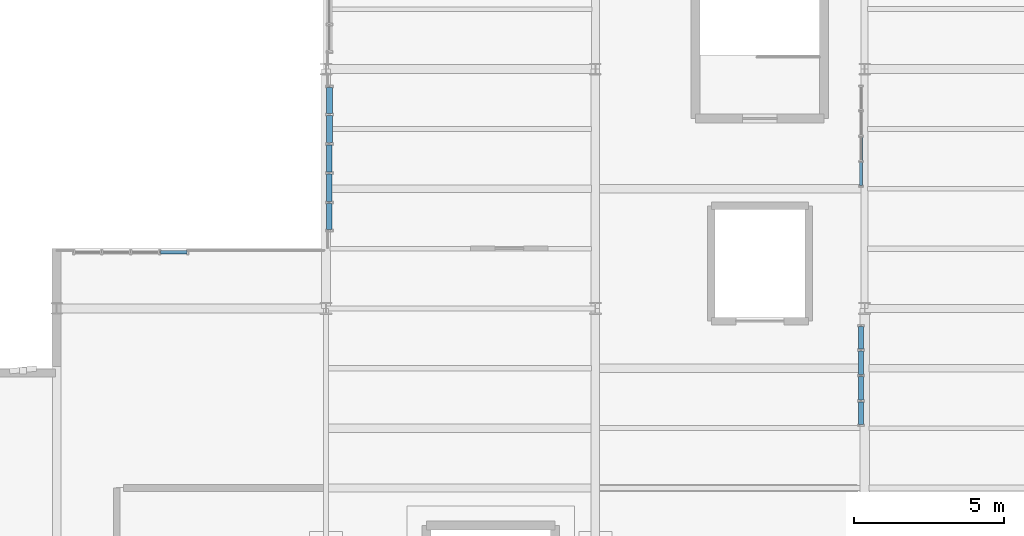
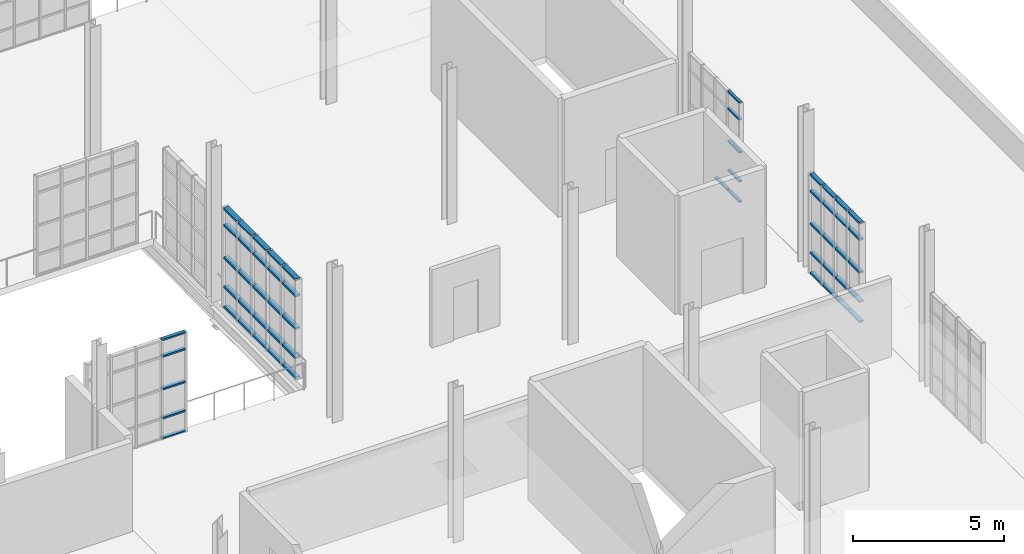
# One storey, part 78 of 118: 56 members, 4 elements without a shape of their own.
"""IFC4 building model written with IfcOpenShell, lengths in metres."""

from ifc_helpers import new_model, si_unit, direction, frame, origin, origin_2d, place, context, subcontext, project, spatial, hollow_rectangle, extrude, material, layer, layer_set, material_profile, profile_set, type_object, element, aggregate, save


model = new_model("IFC4")

# Units and contexts
model_context = context("Model", 3, precision=1e-05, world=origin(), true_north=direction((0.0, 1.0)))
body_context = subcontext(model_context, "Body", "Model", "MODEL_VIEW")
ifc_project = project(units=[si_unit("LENGTHUNIT", "METRE"), si_unit("AREAUNIT", "SQUARE_METRE"), si_unit("VOLUMEUNIT", "CUBIC_METRE"), si_unit("PLANEANGLEUNIT", "RADIAN"), si_unit("MASSUNIT", "GRAM", prefix="KILO"), si_unit("THERMODYNAMICTEMPERATUREUNIT", "KELVIN"), si_unit("POWERUNIT", "WATT")], contexts=[model_context])

# Site, building, storey
site_placement = place(None, origin())
site = spatial("IfcSite", under=ifc_project, at=site_placement, CompositionType="ELEMENT")
building_placement = place(site_placement, origin())
building = spatial("IfcBuilding", under=site, at=building_placement, Name="Zelmaris Science Centre", CompositionType="ELEMENT")
storey_placement = place(building_placement, frame((0.0, 0.0, 15.60009765625)))
storey = spatial("IfcBuildingStorey", under=building, at=storey_placement, Name="L03", CompositionType="ELEMENT", Elevation=15.60009765625)

# Curtain wall, members
ifc_material = material(Name="Anodised architectural aluminium 6063-T6", Category="aluminium")
ifc_layer_1 = layer(ifc_material, 0.219970703125, Name="Anodised architectural aluminium 6063-T6")
ifc_layer_set_1 = layer_set([ifc_layer_1], Name="Anodised architectural aluminium 6063-T6")
curtain_wall_type_1 = type_object("IfcCurtainWallType", Name="Curtain Wall CW-04", PredefinedType="USERDEFINED", material=ifc_layer_set_1)
curtain_wall_1_placement = place(storey_placement, origin())
curtain_wall_1 = element("IfcCurtainWall", 1, at=curtain_wall_1_placement, inside=storey, type_object=curtain_wall_type_1, Name="L03 Unitised curtain wall 300", ObjectType="GLAZED CURTAIN WALL", PredefinedType="USERDEFINED")
ifc_material_profile_1 = material_profile(ifc_material, hollow_rectangle(XDim=0.06005859375, YDim=0.110107421875, WallThickness=0.0029296875, at=origin_2d()), Name="ALU-TRN-60X110")
ifc_profile_set_1 = profile_set([ifc_material_profile_1], Name="Anodised architectural aluminium 6063-T6")
member_type_1 = type_object("IfcMemberType", Name="ALU-TRN-60X110", PredefinedType="USERDEFINED", material=ifc_profile_set_1)
member_1_placement = place(storey_placement, frame((134.8798828125, 37.73388671875, 0.010986328125), z_axis=(0.0, -1.0, 0.0), x_axis=(0.0, 0.0, 1.0)))
member_1 = element("IfcMember", 2, at=member_1_placement, type_object=member_type_1, Name="CW-04 transom 3.1", ObjectType="TRANSOM", PredefinedType="USERDEFINED", context=body_context, shape_type="SweptSolid", body=[
    extrude(hollow_rectangle(XDim=0.06005859375, YDim=0.110107421875, WallThickness=0.0029296875, at=origin_2d()), origin(), (0.0, 0.0, 1.0), 0.7978515625),
])
member_2_placement = place(storey_placement, frame((134.8798828125, 36.884033203125, 0.010986328125), z_axis=(0.0, -1.0, 0.0), x_axis=(0.0, 0.0, 1.0)))
member_2 = element("IfcMember", 3, at=member_2_placement, type_object=member_type_1, Name="CW-04 transom 4.1", ObjectType="TRANSOM", PredefinedType="USERDEFINED", context=body_context, shape_type="SweptSolid", body=[
    extrude(hollow_rectangle(XDim=0.06005859375, YDim=0.110107421875, WallThickness=0.0029296875, at=origin_2d()), origin(), (0.0, 0.0, 1.0), 0.77197265625),
])
member_3_placement = place(storey_placement, frame((134.8798828125, 36.884033203125, 0.8349609375), z_axis=(0.0, -1.0, 0.0), x_axis=(0.0, 0.0, 1.0)))
member_3 = element("IfcMember", 4, at=member_3_placement, type_object=member_type_1, Name="CW-04 transom 4.2", ObjectType="TRANSOM", PredefinedType="USERDEFINED", context=body_context, shape_type="SweptSolid", body=[
    extrude(hollow_rectangle(XDim=0.06005859375, YDim=0.110107421875, WallThickness=0.0029296875, at=origin_2d()), origin(), (0.0, 0.0, 1.0), 0.77197265625),
])
member_4_placement = place(storey_placement, frame((134.8798828125, 36.884033203125, 2.00732421875), z_axis=(0.0, -1.0, 0.0), x_axis=(0.0, 0.0, 1.0)))
member_4 = element("IfcMember", 5, at=member_4_placement, type_object=member_type_1, Name="CW-04 transom 4.3", ObjectType="TRANSOM", PredefinedType="USERDEFINED", context=body_context, shape_type="SweptSolid", body=[
    extrude(hollow_rectangle(XDim=0.06005859375, YDim=0.110107421875, WallThickness=0.0029296875, at=origin_2d()), origin(), (0.0, 0.0, 1.0), 0.77197265625),
])
member_5_placement = place(storey_placement, frame((134.8798828125, 36.884033203125, 3.329833984375), z_axis=(0.0, -1.0, 0.0), x_axis=(0.0, 0.0, 1.0)))
member_5 = element("IfcMember", 6, at=member_5_placement, type_object=member_type_1, Name="CW-04 transom 4.4", ObjectType="TRANSOM", PredefinedType="USERDEFINED", context=body_context, shape_type="SweptSolid", body=[
    extrude(hollow_rectangle(XDim=0.06005859375, YDim=0.110107421875, WallThickness=0.0029296875, at=origin_2d()), origin(), (0.0, 0.0, 1.0), 0.77197265625),
])
member_6_placement = place(storey_placement, frame((134.8798828125, 36.884033203125, 4.00390625), z_axis=(0.0, -1.0, 0.0), x_axis=(0.0, 0.0, 1.0)))
member_6 = element("IfcMember", 7, at=member_6_placement, type_object=member_type_1, Name="CW-04 transom 4.5", ObjectType="TRANSOM", PredefinedType="USERDEFINED", context=body_context, shape_type="SweptSolid", body=[
    extrude(hollow_rectangle(XDim=0.06005859375, YDim=0.110107421875, WallThickness=0.0029296875, at=origin_2d()), origin(), (0.0, 0.0, 1.0), 0.77197265625),
])
aggregate(curtain_wall_1, [member_1, member_2, member_3, member_4, member_5, member_6])

ifc_layer_2 = layer(ifc_material, 0.2099609375, Name="Anodised architectural aluminium 6063-T6")
ifc_layer_set_2 = layer_set([ifc_layer_2], Name="Anodised architectural aluminium 6063-T6")
curtain_wall_type_2 = type_object("IfcCurtainWallType", Name="Curtain Wall CW-03", PredefinedType="USERDEFINED", material=ifc_layer_set_2)
curtain_wall_2_placement = place(storey_placement, origin())
curtain_wall_2 = element("IfcCurtainWall", 8, at=curtain_wall_2_placement, inside=storey, type_object=curtain_wall_type_2, Name="L03 Unitised curtain wall 323", ObjectType="GLAZED CURTAIN WALL", PredefinedType="USERDEFINED")
ifc_material_profile_2 = material_profile(ifc_material, hollow_rectangle(XDim=0.06494140625, YDim=0.1298828125, WallThickness=0.00341796875, at=origin_2d()), Name="ALU-TRN-65X130")
ifc_profile_set_2 = profile_set([ifc_material_profile_2], Name="Anodised architectural aluminium 6063-T6")
member_type_2 = type_object("IfcMemberType", Name="ALU-TRN-65X130", PredefinedType="USERDEFINED", material=ifc_profile_set_2)
member_7_placement = place(storey_placement, frame((111.470947265625, 33.8798828125, 0.013427734375), z_axis=(1.0, 0.0, 0.0), x_axis=(0.0, 0.0, 1.0)))
member_7 = element("IfcMember", 9, at=member_7_placement, type_object=member_type_2, Name="CW-03 transom 4.1", ObjectType="TRANSOM", PredefinedType="USERDEFINED", context=body_context, shape_type="SweptSolid", body=[
    extrude(hollow_rectangle(XDim=0.06494140625, YDim=0.1298828125, WallThickness=0.00341796875, at=origin_2d()), origin(), (0.0, 0.0, 1.0), 0.882080078125),
])
member_8_placement = place(storey_placement, frame((111.470947265625, 33.8798828125, 0.8349609375), z_axis=(1.0, 0.0, 0.0), x_axis=(0.0, 0.0, 1.0)))
member_8 = element("IfcMember", 10, at=member_8_placement, type_object=member_type_2, Name="CW-03 transom 4.2", ObjectType="TRANSOM", PredefinedType="USERDEFINED", context=body_context, shape_type="SweptSolid", body=[
    extrude(hollow_rectangle(XDim=0.06494140625, YDim=0.1298828125, WallThickness=0.00341796875, at=origin_2d()), origin(), (0.0, 0.0, 1.0), 0.882080078125),
])
member_9_placement = place(storey_placement, frame((111.470947265625, 33.8798828125, 2.00732421875), z_axis=(1.0, 0.0, 0.0), x_axis=(0.0, 0.0, 1.0)))
member_9 = element("IfcMember", 11, at=member_9_placement, type_object=member_type_2, Name="CW-03 transom 4.3", ObjectType="TRANSOM", PredefinedType="USERDEFINED", context=body_context, shape_type="SweptSolid", body=[
    extrude(hollow_rectangle(XDim=0.06494140625, YDim=0.1298828125, WallThickness=0.00341796875, at=origin_2d()), origin(), (0.0, 0.0, 1.0), 0.882080078125),
])
member_10_placement = place(storey_placement, frame((111.470947265625, 33.8798828125, 3.329833984375), z_axis=(1.0, 0.0, 0.0), x_axis=(0.0, 0.0, 1.0)))
member_10 = element("IfcMember", 12, at=member_10_placement, type_object=member_type_2, Name="CW-03 transom 4.4", ObjectType="TRANSOM", PredefinedType="USERDEFINED", context=body_context, shape_type="SweptSolid", body=[
    extrude(hollow_rectangle(XDim=0.06494140625, YDim=0.1298828125, WallThickness=0.00341796875, at=origin_2d()), origin(), (0.0, 0.0, 1.0), 0.882080078125),
])
member_11_placement = place(storey_placement, frame((111.470947265625, 33.8798828125, 4.00146484375), z_axis=(1.0, 0.0, 0.0), x_axis=(0.0, 0.0, 1.0)))
member_11 = element("IfcMember", 13, at=member_11_placement, type_object=member_type_2, Name="CW-03 transom 4.5", ObjectType="TRANSOM", PredefinedType="USERDEFINED", context=body_context, shape_type="SweptSolid", body=[
    extrude(hollow_rectangle(XDim=0.06494140625, YDim=0.1298828125, WallThickness=0.00341796875, at=origin_2d()), origin(), (0.0, 0.0, 1.0), 0.882080078125),
])
aggregate(curtain_wall_2, [member_7, member_8, member_9, member_10, member_11])

ifc_layer_3 = layer(ifc_material, 0.199951171875, Name="Anodised architectural aluminium 6063-T6")
ifc_layer_set_3 = layer_set([ifc_layer_3], Name="Anodised architectural aluminium 6063-T6")
curtain_wall_type_3 = type_object("IfcCurtainWallType", Name="Curtain Wall CW-02", PredefinedType="USERDEFINED", material=ifc_layer_set_3)
curtain_wall_3_placement = place(storey_placement, origin())
curtain_wall_3 = element("IfcCurtainWall", 14, at=curtain_wall_3_placement, inside=storey, type_object=curtain_wall_type_3, Name="L03 Unitised curtain wall 302", ObjectType="GLAZED CURTAIN WALL", PredefinedType="USERDEFINED")
ifc_material_profile_3 = material_profile(ifc_material, hollow_rectangle(XDim=0.074951171875, YDim=0.159912109375, WallThickness=0.00390625, at=origin_2d()), Name="ALU-TRN-75X160")
ifc_profile_set_3 = profile_set([ifc_material_profile_3], Name="Anodised architectural aluminium 6063-T6")
member_type_3 = type_object("IfcMemberType", Name="ALU-TRN-75X160", PredefinedType="USERDEFINED", material=ifc_profile_set_3)
member_12_placement = place(storey_placement, frame((134.8798828125, 31.39306640625, 0.018310546875), z_axis=(0.0, -1.0, 0.0), x_axis=(0.0, 0.0, 1.0)))
member_12 = element("IfcMember", 15, at=member_12_placement, type_object=member_type_3, Name="CW-02 transom 1.1", ObjectType="TRANSOM", PredefinedType="USERDEFINED", context=body_context, shape_type="SweptSolid", body=[
    extrude(hollow_rectangle(XDim=0.074951171875, YDim=0.159912109375, WallThickness=0.00390625, at=origin_2d()), origin(), (0.0, 0.0, 1.0), 0.74951171875),
])
member_13_placement = place(storey_placement, frame((134.8798828125, 31.39306640625, 0.8349609375), z_axis=(0.0, -1.0, 0.0), x_axis=(0.0, 0.0, 1.0)))
member_13 = element("IfcMember", 16, at=member_13_placement, type_object=member_type_3, Name="CW-02 transom 1.2", ObjectType="TRANSOM", PredefinedType="USERDEFINED", context=body_context, shape_type="SweptSolid", body=[
    extrude(hollow_rectangle(XDim=0.074951171875, YDim=0.159912109375, WallThickness=0.00390625, at=origin_2d()), origin(), (0.0, 0.0, 1.0), 0.74951171875),
])
member_14_placement = place(storey_placement, frame((134.8798828125, 31.39306640625, 2.00732421875), z_axis=(0.0, -1.0, 0.0), x_axis=(0.0, 0.0, 1.0)))
member_14 = element("IfcMember", 17, at=member_14_placement, type_object=member_type_3, Name="CW-02 transom 1.3", ObjectType="TRANSOM", PredefinedType="USERDEFINED", context=body_context, shape_type="SweptSolid", body=[
    extrude(hollow_rectangle(XDim=0.074951171875, YDim=0.159912109375, WallThickness=0.00390625, at=origin_2d()), origin(), (0.0, 0.0, 1.0), 0.74951171875),
])
member_15_placement = place(storey_placement, frame((134.8798828125, 31.39306640625, 3.329833984375), z_axis=(0.0, -1.0, 0.0), x_axis=(0.0, 0.0, 1.0)))
member_15 = element("IfcMember", 18, at=member_15_placement, type_object=member_type_3, Name="CW-02 transom 1.4", ObjectType="TRANSOM", PredefinedType="USERDEFINED", context=body_context, shape_type="SweptSolid", body=[
    extrude(hollow_rectangle(XDim=0.074951171875, YDim=0.159912109375, WallThickness=0.00390625, at=origin_2d()), origin(), (0.0, 0.0, 1.0), 0.74951171875),
])
member_16_placement = place(storey_placement, frame((134.8798828125, 31.39306640625, 3.996337890625), z_axis=(0.0, -1.0, 0.0), x_axis=(0.0, 0.0, 1.0)))
member_16 = element("IfcMember", 19, at=member_16_placement, type_object=member_type_3, Name="CW-02 transom 1.5", ObjectType="TRANSOM", PredefinedType="USERDEFINED", context=body_context, shape_type="SweptSolid", body=[
    extrude(hollow_rectangle(XDim=0.074951171875, YDim=0.159912109375, WallThickness=0.00390625, at=origin_2d()), origin(), (0.0, 0.0, 1.0), 0.74951171875),
])
member_17_placement = place(storey_placement, frame((134.8798828125, 30.576416015625, 0.018310546875), z_axis=(0.0, -1.0, 0.0), x_axis=(0.0, 0.0, 1.0)))
member_17 = element("IfcMember", 20, at=member_17_placement, type_object=member_type_3, Name="CW-02 transom 2.1", ObjectType="TRANSOM", PredefinedType="USERDEFINED", context=body_context, shape_type="SweptSolid", body=[
    extrude(hollow_rectangle(XDim=0.074951171875, YDim=0.159912109375, WallThickness=0.00390625, at=origin_2d()), origin(), (0.0, 0.0, 1.0), 0.782958984375),
])
member_18_placement = place(storey_placement, frame((134.8798828125, 30.576416015625, 0.8349609375), z_axis=(0.0, -1.0, 0.0), x_axis=(0.0, 0.0, 1.0)))
member_18 = element("IfcMember", 21, at=member_18_placement, type_object=member_type_3, Name="CW-02 transom 2.2", ObjectType="TRANSOM", PredefinedType="USERDEFINED", context=body_context, shape_type="SweptSolid", body=[
    extrude(hollow_rectangle(XDim=0.074951171875, YDim=0.159912109375, WallThickness=0.00390625, at=origin_2d()), origin(), (0.0, 0.0, 1.0), 0.782958984375),
])
member_19_placement = place(storey_placement, frame((134.8798828125, 30.576416015625, 2.00732421875), z_axis=(0.0, -1.0, 0.0), x_axis=(0.0, 0.0, 1.0)))
member_19 = element("IfcMember", 22, at=member_19_placement, type_object=member_type_3, Name="CW-02 transom 2.3", ObjectType="TRANSOM", PredefinedType="USERDEFINED", context=body_context, shape_type="SweptSolid", body=[
    extrude(hollow_rectangle(XDim=0.074951171875, YDim=0.159912109375, WallThickness=0.00390625, at=origin_2d()), origin(), (0.0, 0.0, 1.0), 0.782958984375),
])
member_20_placement = place(storey_placement, frame((134.8798828125, 30.576416015625, 3.329833984375), z_axis=(0.0, -1.0, 0.0), x_axis=(0.0, 0.0, 1.0)))
member_20 = element("IfcMember", 23, at=member_20_placement, type_object=member_type_3, Name="CW-02 transom 2.4", ObjectType="TRANSOM", PredefinedType="USERDEFINED", context=body_context, shape_type="SweptSolid", body=[
    extrude(hollow_rectangle(XDim=0.074951171875, YDim=0.159912109375, WallThickness=0.00390625, at=origin_2d()), origin(), (0.0, 0.0, 1.0), 0.782958984375),
])
member_21_placement = place(storey_placement, frame((134.8798828125, 30.576416015625, 3.996337890625), z_axis=(0.0, -1.0, 0.0), x_axis=(0.0, 0.0, 1.0)))
member_21 = element("IfcMember", 24, at=member_21_placement, type_object=member_type_3, Name="CW-02 transom 2.5", ObjectType="TRANSOM", PredefinedType="USERDEFINED", context=body_context, shape_type="SweptSolid", body=[
    extrude(hollow_rectangle(XDim=0.074951171875, YDim=0.159912109375, WallThickness=0.00390625, at=origin_2d()), origin(), (0.0, 0.0, 1.0), 0.782958984375),
])
member_22_placement = place(storey_placement, frame((134.8798828125, 29.7265625, 0.018310546875), z_axis=(0.0, -1.0, 0.0), x_axis=(0.0, 0.0, 1.0)))
member_22 = element("IfcMember", 25, at=member_22_placement, type_object=member_type_3, Name="CW-02 transom 3.1", ObjectType="TRANSOM", PredefinedType="USERDEFINED", context=body_context, shape_type="SweptSolid", body=[
    extrude(hollow_rectangle(XDim=0.074951171875, YDim=0.159912109375, WallThickness=0.00390625, at=origin_2d()), origin(), (0.0, 0.0, 1.0), 0.782958984375),
])
member_23_placement = place(storey_placement, frame((134.8798828125, 29.7265625, 0.8349609375), z_axis=(0.0, -1.0, 0.0), x_axis=(0.0, 0.0, 1.0)))
member_23 = element("IfcMember", 26, at=member_23_placement, type_object=member_type_3, Name="CW-02 transom 3.2", ObjectType="TRANSOM", PredefinedType="USERDEFINED", context=body_context, shape_type="SweptSolid", body=[
    extrude(hollow_rectangle(XDim=0.074951171875, YDim=0.159912109375, WallThickness=0.00390625, at=origin_2d()), origin(), (0.0, 0.0, 1.0), 0.782958984375),
])
member_24_placement = place(storey_placement, frame((134.8798828125, 29.7265625, 2.00732421875), z_axis=(0.0, -1.0, 0.0), x_axis=(0.0, 0.0, 1.0)))
member_24 = element("IfcMember", 27, at=member_24_placement, type_object=member_type_3, Name="CW-02 transom 3.3", ObjectType="TRANSOM", PredefinedType="USERDEFINED", context=body_context, shape_type="SweptSolid", body=[
    extrude(hollow_rectangle(XDim=0.074951171875, YDim=0.159912109375, WallThickness=0.00390625, at=origin_2d()), origin(), (0.0, 0.0, 1.0), 0.782958984375),
])
member_25_placement = place(storey_placement, frame((134.8798828125, 29.7265625, 3.329833984375), z_axis=(0.0, -1.0, 0.0), x_axis=(0.0, 0.0, 1.0)))
member_25 = element("IfcMember", 28, at=member_25_placement, type_object=member_type_3, Name="CW-02 transom 3.4", ObjectType="TRANSOM", PredefinedType="USERDEFINED", context=body_context, shape_type="SweptSolid", body=[
    extrude(hollow_rectangle(XDim=0.074951171875, YDim=0.159912109375, WallThickness=0.00390625, at=origin_2d()), origin(), (0.0, 0.0, 1.0), 0.782958984375),
])
member_26_placement = place(storey_placement, frame((134.8798828125, 29.7265625, 3.996337890625), z_axis=(0.0, -1.0, 0.0), x_axis=(0.0, 0.0, 1.0)))
member_26 = element("IfcMember", 29, at=member_26_placement, type_object=member_type_3, Name="CW-02 transom 3.5", ObjectType="TRANSOM", PredefinedType="USERDEFINED", context=body_context, shape_type="SweptSolid", body=[
    extrude(hollow_rectangle(XDim=0.074951171875, YDim=0.159912109375, WallThickness=0.00390625, at=origin_2d()), origin(), (0.0, 0.0, 1.0), 0.782958984375),
])
member_27_placement = place(storey_placement, frame((134.8798828125, 28.87646484375, 0.018310546875), z_axis=(0.0, -1.0, 0.0), x_axis=(0.0, 0.0, 1.0)))
member_27 = element("IfcMember", 30, at=member_27_placement, type_object=member_type_3, Name="CW-02 transom 4.1", ObjectType="TRANSOM", PredefinedType="USERDEFINED", context=body_context, shape_type="SweptSolid", body=[
    extrude(hollow_rectangle(XDim=0.074951171875, YDim=0.159912109375, WallThickness=0.00390625, at=origin_2d()), origin(), (0.0, 0.0, 1.0), 0.74951171875),
])
member_28_placement = place(storey_placement, frame((134.8798828125, 28.87646484375, 0.8349609375), z_axis=(0.0, -1.0, 0.0), x_axis=(0.0, 0.0, 1.0)))
member_28 = element("IfcMember", 31, at=member_28_placement, type_object=member_type_3, Name="CW-02 transom 4.2", ObjectType="TRANSOM", PredefinedType="USERDEFINED", context=body_context, shape_type="SweptSolid", body=[
    extrude(hollow_rectangle(XDim=0.074951171875, YDim=0.159912109375, WallThickness=0.00390625, at=origin_2d()), origin(), (0.0, 0.0, 1.0), 0.74951171875),
])
member_29_placement = place(storey_placement, frame((134.8798828125, 28.87646484375, 2.00732421875), z_axis=(0.0, -1.0, 0.0), x_axis=(0.0, 0.0, 1.0)))
member_29 = element("IfcMember", 32, at=member_29_placement, type_object=member_type_3, Name="CW-02 transom 4.3", ObjectType="TRANSOM", PredefinedType="USERDEFINED", context=body_context, shape_type="SweptSolid", body=[
    extrude(hollow_rectangle(XDim=0.074951171875, YDim=0.159912109375, WallThickness=0.00390625, at=origin_2d()), origin(), (0.0, 0.0, 1.0), 0.74951171875),
])
member_30_placement = place(storey_placement, frame((134.8798828125, 28.87646484375, 3.329833984375), z_axis=(0.0, -1.0, 0.0), x_axis=(0.0, 0.0, 1.0)))
member_30 = element("IfcMember", 33, at=member_30_placement, type_object=member_type_3, Name="CW-02 transom 4.4", ObjectType="TRANSOM", PredefinedType="USERDEFINED", context=body_context, shape_type="SweptSolid", body=[
    extrude(hollow_rectangle(XDim=0.074951171875, YDim=0.159912109375, WallThickness=0.00390625, at=origin_2d()), origin(), (0.0, 0.0, 1.0), 0.74951171875),
])
member_31_placement = place(storey_placement, frame((134.8798828125, 28.87646484375, 3.996337890625), z_axis=(0.0, -1.0, 0.0), x_axis=(0.0, 0.0, 1.0)))
member_31 = element("IfcMember", 34, at=member_31_placement, type_object=member_type_3, Name="CW-02 transom 4.5", ObjectType="TRANSOM", PredefinedType="USERDEFINED", context=body_context, shape_type="SweptSolid", body=[
    extrude(hollow_rectangle(XDim=0.074951171875, YDim=0.159912109375, WallThickness=0.00390625, at=origin_2d()), origin(), (0.0, 0.0, 1.0), 0.74951171875),
])
aggregate(curtain_wall_3, [member_12, member_13, member_14, member_15, member_16, member_17, member_18, member_19, member_20, member_21, member_22, member_23, member_24, member_25, member_26, member_27, member_28, member_29, member_30, member_31])

ifc_layer_4 = layer(ifc_material, 0.18994140625, Name="Anodised architectural aluminium 6063-T6")
ifc_layer_set_4 = layer_set([ifc_layer_4], Name="Anodised architectural aluminium 6063-T6")
curtain_wall_type_4 = type_object("IfcCurtainWallType", Name="Curtain Wall CW-01", PredefinedType="USERDEFINED", material=ifc_layer_set_4)
curtain_wall_4_placement = place(storey_placement, origin())
curtain_wall_4 = element("IfcCurtainWall", 35, at=curtain_wall_4_placement, inside=storey, type_object=curtain_wall_type_4, Name="L03 Unitised curtain wall 325", ObjectType="GLAZED CURTAIN WALL", PredefinedType="USERDEFINED")
ifc_material_profile_4 = material_profile(ifc_material, hollow_rectangle(XDim=0.080078125, YDim=0.18994140625, WallThickness=0.00439453125, at=origin_2d()), Name="ALU-TRN-80X190")
ifc_profile_set_4 = profile_set([ifc_material_profile_4], Name="Anodised architectural aluminium 6063-T6")
member_type_4 = type_object("IfcMemberType", Name="ALU-TRN-80X190", PredefinedType="USERDEFINED", material=ifc_profile_set_4)
member_32_placement = place(storey_placement, frame((117.1103515625, 34.638671875, 0.02099609375), z_axis=(0.001121704286, 0.99999937089, 0.0), x_axis=(0.0, 0.0, 1.0)))
member_32 = element("IfcMember", 36, at=member_32_placement, type_object=member_type_4, Name="CW-01 transom 1.1", ObjectType="TRANSOM", PredefinedType="USERDEFINED", context=body_context, shape_type="SweptSolid", body=[
    extrude(hollow_rectangle(XDim=0.080078125, YDim=0.18994140625, WallThickness=0.00439453125, at=origin_2d()), origin(), (0.0, 0.0, 1.0), 0.87060546875),
])
member_33_placement = place(storey_placement, frame((117.1103515625, 34.638671875, 0.8349609375), z_axis=(0.001121704286, 0.99999937089, 0.0), x_axis=(0.0, 0.0, 1.0)))
member_33 = element("IfcMember", 37, at=member_33_placement, type_object=member_type_4, Name="CW-01 transom 1.2", ObjectType="TRANSOM", PredefinedType="USERDEFINED", context=body_context, shape_type="SweptSolid", body=[
    extrude(hollow_rectangle(XDim=0.080078125, YDim=0.18994140625, WallThickness=0.00439453125, at=origin_2d()), origin(), (0.0, 0.0, 1.0), 0.87060546875),
])
member_34_placement = place(storey_placement, frame((117.1103515625, 34.638671875, 2.00732421875), z_axis=(0.001121704286, 0.99999937089, 0.0), x_axis=(0.0, 0.0, 1.0)))
member_34 = element("IfcMember", 38, at=member_34_placement, type_object=member_type_4, Name="CW-01 transom 1.3", ObjectType="TRANSOM", PredefinedType="USERDEFINED", context=body_context, shape_type="SweptSolid", body=[
    extrude(hollow_rectangle(XDim=0.080078125, YDim=0.18994140625, WallThickness=0.00439453125, at=origin_2d()), origin(), (0.0, 0.0, 1.0), 0.87060546875),
])
member_35_placement = place(storey_placement, frame((117.1103515625, 34.638671875, 3.329833984375), z_axis=(0.001121704286, 0.99999937089, 0.0), x_axis=(0.0, 0.0, 1.0)))
member_35 = element("IfcMember", 39, at=member_35_placement, type_object=member_type_4, Name="CW-01 transom 1.4", ObjectType="TRANSOM", PredefinedType="USERDEFINED", context=body_context, shape_type="SweptSolid", body=[
    extrude(hollow_rectangle(XDim=0.080078125, YDim=0.18994140625, WallThickness=0.00439453125, at=origin_2d()), origin(), (0.0, 0.0, 1.0), 0.87060546875),
])
member_36_placement = place(storey_placement, frame((117.1103515625, 34.638671875, 3.993896484375), z_axis=(0.001121704286, 0.99999937089, 0.0), x_axis=(0.0, 0.0, 1.0)))
member_36 = element("IfcMember", 40, at=member_36_placement, type_object=member_type_4, Name="CW-01 transom 1.5", ObjectType="TRANSOM", PredefinedType="USERDEFINED", context=body_context, shape_type="SweptSolid", body=[
    extrude(hollow_rectangle(XDim=0.080078125, YDim=0.18994140625, WallThickness=0.00439453125, at=origin_2d()), origin(), (0.0, 0.0, 1.0), 0.87060546875),
])
member_37_placement = place(storey_placement, frame((117.111328125, 35.581298828125, 0.02099609375), z_axis=(0.001077005299, 0.99999942003, 0.0), x_axis=(0.0, 0.0, 1.0)))
member_37 = element("IfcMember", 41, at=member_37_placement, type_object=member_type_4, Name="CW-01 transom 2.1", ObjectType="TRANSOM", PredefinedType="USERDEFINED", context=body_context, shape_type="SweptSolid", body=[
    extrude(hollow_rectangle(XDim=0.080078125, YDim=0.18994140625, WallThickness=0.00439453125, at=origin_2d()), origin(), (0.0, 0.0, 1.0), 0.90673828125),
])
member_38_placement = place(storey_placement, frame((117.111328125, 35.581298828125, 0.8349609375), z_axis=(0.001077005299, 0.99999942003, 0.0), x_axis=(0.0, 0.0, 1.0)))
member_38 = element("IfcMember", 42, at=member_38_placement, type_object=member_type_4, Name="CW-01 transom 2.2", ObjectType="TRANSOM", PredefinedType="USERDEFINED", context=body_context, shape_type="SweptSolid", body=[
    extrude(hollow_rectangle(XDim=0.080078125, YDim=0.18994140625, WallThickness=0.00439453125, at=origin_2d()), origin(), (0.0, 0.0, 1.0), 0.90673828125),
])
member_39_placement = place(storey_placement, frame((117.111328125, 35.581298828125, 2.00732421875), z_axis=(0.001077005299, 0.99999942003, 0.0), x_axis=(0.0, 0.0, 1.0)))
member_39 = element("IfcMember", 43, at=member_39_placement, type_object=member_type_4, Name="CW-01 transom 2.3", ObjectType="TRANSOM", PredefinedType="USERDEFINED", context=body_context, shape_type="SweptSolid", body=[
    extrude(hollow_rectangle(XDim=0.080078125, YDim=0.18994140625, WallThickness=0.00439453125, at=origin_2d()), origin(), (0.0, 0.0, 1.0), 0.90673828125),
])
member_40_placement = place(storey_placement, frame((117.111328125, 35.581298828125, 3.329833984375), z_axis=(0.001077005299, 0.99999942003, 0.0), x_axis=(0.0, 0.0, 1.0)))
member_40 = element("IfcMember", 44, at=member_40_placement, type_object=member_type_4, Name="CW-01 transom 2.4", ObjectType="TRANSOM", PredefinedType="USERDEFINED", context=body_context, shape_type="SweptSolid", body=[
    extrude(hollow_rectangle(XDim=0.080078125, YDim=0.18994140625, WallThickness=0.00439453125, at=origin_2d()), origin(), (0.0, 0.0, 1.0), 0.90673828125),
])
member_41_placement = place(storey_placement, frame((117.111328125, 35.581298828125, 3.993896484375), z_axis=(0.001077005299, 0.99999942003, 0.0), x_axis=(0.0, 0.0, 1.0)))
member_41 = element("IfcMember", 45, at=member_41_placement, type_object=member_type_4, Name="CW-01 transom 2.5", ObjectType="TRANSOM", PredefinedType="USERDEFINED", context=body_context, shape_type="SweptSolid", body=[
    extrude(hollow_rectangle(XDim=0.080078125, YDim=0.18994140625, WallThickness=0.00439453125, at=origin_2d()), origin(), (0.0, 0.0, 1.0), 0.90673828125),
])
member_42_placement = place(storey_placement, frame((117.112548828125, 36.559814453125, 0.02099609375), z_axis=(0.000807754179, 0.999999673767, 0.0), x_axis=(0.0, 0.0, 1.0)))
member_42 = element("IfcMember", 46, at=member_42_placement, type_object=member_type_4, Name="CW-01 transom 3.1", ObjectType="TRANSOM", PredefinedType="USERDEFINED", context=body_context, shape_type="SweptSolid", body=[
    extrude(hollow_rectangle(XDim=0.080078125, YDim=0.18994140625, WallThickness=0.00439453125, at=origin_2d()), origin(), (0.0, 0.0, 1.0), 0.90673828125),
])
member_43_placement = place(storey_placement, frame((117.112548828125, 36.559814453125, 0.8349609375), z_axis=(0.000807754179, 0.999999673767, 0.0), x_axis=(0.0, 0.0, 1.0)))
member_43 = element("IfcMember", 47, at=member_43_placement, type_object=member_type_4, Name="CW-01 transom 3.2", ObjectType="TRANSOM", PredefinedType="USERDEFINED", context=body_context, shape_type="SweptSolid", body=[
    extrude(hollow_rectangle(XDim=0.080078125, YDim=0.18994140625, WallThickness=0.00439453125, at=origin_2d()), origin(), (0.0, 0.0, 1.0), 0.90673828125),
])
member_44_placement = place(storey_placement, frame((117.112548828125, 36.559814453125, 2.00732421875), z_axis=(0.000807754179, 0.999999673767, 0.0), x_axis=(0.0, 0.0, 1.0)))
member_44 = element("IfcMember", 48, at=member_44_placement, type_object=member_type_4, Name="CW-01 transom 3.3", ObjectType="TRANSOM", PredefinedType="USERDEFINED", context=body_context, shape_type="SweptSolid", body=[
    extrude(hollow_rectangle(XDim=0.080078125, YDim=0.18994140625, WallThickness=0.00439453125, at=origin_2d()), origin(), (0.0, 0.0, 1.0), 0.90673828125),
])
member_45_placement = place(storey_placement, frame((117.112548828125, 36.559814453125, 3.329833984375), z_axis=(0.000807754179, 0.999999673767, 0.0), x_axis=(0.0, 0.0, 1.0)))
member_45 = element("IfcMember", 49, at=member_45_placement, type_object=member_type_4, Name="CW-01 transom 3.4", ObjectType="TRANSOM", PredefinedType="USERDEFINED", context=body_context, shape_type="SweptSolid", body=[
    extrude(hollow_rectangle(XDim=0.080078125, YDim=0.18994140625, WallThickness=0.00439453125, at=origin_2d()), origin(), (0.0, 0.0, 1.0), 0.90673828125),
])
member_46_placement = place(storey_placement, frame((117.112548828125, 36.559814453125, 3.993896484375), z_axis=(0.000807754179, 0.999999673767, 0.0), x_axis=(0.0, 0.0, 1.0)))
member_46 = element("IfcMember", 50, at=member_46_placement, type_object=member_type_4, Name="CW-01 transom 3.5", ObjectType="TRANSOM", PredefinedType="USERDEFINED", context=body_context, shape_type="SweptSolid", body=[
    extrude(hollow_rectangle(XDim=0.080078125, YDim=0.18994140625, WallThickness=0.00439453125, at=origin_2d()), origin(), (0.0, 0.0, 1.0), 0.90673828125),
])
member_47_placement = place(storey_placement, frame((117.113525390625, 37.53857421875, 0.02099609375), z_axis=(0.000807754179, 0.999999673767, 0.0), x_axis=(0.0, 0.0, 1.0)))
member_47 = element("IfcMember", 51, at=member_47_placement, type_object=member_type_4, Name="CW-01 transom 4.1", ObjectType="TRANSOM", PredefinedType="USERDEFINED", context=body_context, shape_type="SweptSolid", body=[
    extrude(hollow_rectangle(XDim=0.080078125, YDim=0.18994140625, WallThickness=0.00439453125, at=origin_2d()), origin(), (0.0, 0.0, 1.0), 0.90673828125),
])
member_48_placement = place(storey_placement, frame((117.113525390625, 37.53857421875, 0.8349609375), z_axis=(0.000807754179, 0.999999673767, 0.0), x_axis=(0.0, 0.0, 1.0)))
member_48 = element("IfcMember", 52, at=member_48_placement, type_object=member_type_4, Name="CW-01 transom 4.2", ObjectType="TRANSOM", PredefinedType="USERDEFINED", context=body_context, shape_type="SweptSolid", body=[
    extrude(hollow_rectangle(XDim=0.080078125, YDim=0.18994140625, WallThickness=0.00439453125, at=origin_2d()), origin(), (0.0, 0.0, 1.0), 0.90673828125),
])
member_49_placement = place(storey_placement, frame((117.113525390625, 37.53857421875, 2.00732421875), z_axis=(0.000807754179, 0.999999673767, 0.0), x_axis=(0.0, 0.0, 1.0)))
member_49 = element("IfcMember", 53, at=member_49_placement, type_object=member_type_4, Name="CW-01 transom 4.3", ObjectType="TRANSOM", PredefinedType="USERDEFINED", context=body_context, shape_type="SweptSolid", body=[
    extrude(hollow_rectangle(XDim=0.080078125, YDim=0.18994140625, WallThickness=0.00439453125, at=origin_2d()), origin(), (0.0, 0.0, 1.0), 0.90673828125),
])
member_50_placement = place(storey_placement, frame((117.113525390625, 37.53857421875, 3.329833984375), z_axis=(0.000807754179, 0.999999673767, 0.0), x_axis=(0.0, 0.0, 1.0)))
member_50 = element("IfcMember", 54, at=member_50_placement, type_object=member_type_4, Name="CW-01 transom 4.4", ObjectType="TRANSOM", PredefinedType="USERDEFINED", context=body_context, shape_type="SweptSolid", body=[
    extrude(hollow_rectangle(XDim=0.080078125, YDim=0.18994140625, WallThickness=0.00439453125, at=origin_2d()), origin(), (0.0, 0.0, 1.0), 0.90673828125),
])
member_51_placement = place(storey_placement, frame((117.113525390625, 37.53857421875, 3.993896484375), z_axis=(0.000807754179, 0.999999673767, 0.0), x_axis=(0.0, 0.0, 1.0)))
member_51 = element("IfcMember", 55, at=member_51_placement, type_object=member_type_4, Name="CW-01 transom 4.5", ObjectType="TRANSOM", PredefinedType="USERDEFINED", context=body_context, shape_type="SweptSolid", body=[
    extrude(hollow_rectangle(XDim=0.080078125, YDim=0.18994140625, WallThickness=0.00439453125, at=origin_2d()), origin(), (0.0, 0.0, 1.0), 0.90673828125),
])
member_52_placement = place(storey_placement, frame((117.114501953125, 38.517333984375, 0.02099609375), z_axis=(0.000841278446, 0.999999646125, 0.0), x_axis=(0.0, 0.0, 1.0)))
member_52 = element("IfcMember", 56, at=member_52_placement, type_object=member_type_4, Name="CW-01 transom 5.1", ObjectType="TRANSOM", PredefinedType="USERDEFINED", context=body_context, shape_type="SweptSolid", body=[
    extrude(hollow_rectangle(XDim=0.080078125, YDim=0.18994140625, WallThickness=0.00439453125, at=origin_2d()), origin(), (0.0, 0.0, 1.0), 0.87060546875),
])
member_53_placement = place(storey_placement, frame((117.114501953125, 38.517333984375, 0.8349609375), z_axis=(0.000841278446, 0.999999646125, 0.0), x_axis=(0.0, 0.0, 1.0)))
member_53 = element("IfcMember", 57, at=member_53_placement, type_object=member_type_4, Name="CW-01 transom 5.2", ObjectType="TRANSOM", PredefinedType="USERDEFINED", context=body_context, shape_type="SweptSolid", body=[
    extrude(hollow_rectangle(XDim=0.080078125, YDim=0.18994140625, WallThickness=0.00439453125, at=origin_2d()), origin(), (0.0, 0.0, 1.0), 0.87060546875),
])
member_54_placement = place(storey_placement, frame((117.114501953125, 38.517333984375, 2.00732421875), z_axis=(0.000841278446, 0.999999646125, 0.0), x_axis=(0.0, 0.0, 1.0)))
member_54 = element("IfcMember", 58, at=member_54_placement, type_object=member_type_4, Name="CW-01 transom 5.3", ObjectType="TRANSOM", PredefinedType="USERDEFINED", context=body_context, shape_type="SweptSolid", body=[
    extrude(hollow_rectangle(XDim=0.080078125, YDim=0.18994140625, WallThickness=0.00439453125, at=origin_2d()), origin(), (0.0, 0.0, 1.0), 0.87060546875),
])
member_55_placement = place(storey_placement, frame((117.114501953125, 38.517333984375, 3.329833984375), z_axis=(0.000841278446, 0.999999646125, 0.0), x_axis=(0.0, 0.0, 1.0)))
member_55 = element("IfcMember", 59, at=member_55_placement, type_object=member_type_4, Name="CW-01 transom 5.4", ObjectType="TRANSOM", PredefinedType="USERDEFINED", context=body_context, shape_type="SweptSolid", body=[
    extrude(hollow_rectangle(XDim=0.080078125, YDim=0.18994140625, WallThickness=0.00439453125, at=origin_2d()), origin(), (0.0, 0.0, 1.0), 0.87060546875),
])
member_56_placement = place(storey_placement, frame((117.114501953125, 38.517333984375, 3.993896484375), z_axis=(0.000841278446, 0.999999646125, 0.0), x_axis=(0.0, 0.0, 1.0)))
member_56 = element("IfcMember", 60, at=member_56_placement, type_object=member_type_4, Name="CW-01 transom 5.5", ObjectType="TRANSOM", PredefinedType="USERDEFINED", context=body_context, shape_type="SweptSolid", body=[
    extrude(hollow_rectangle(XDim=0.080078125, YDim=0.18994140625, WallThickness=0.00439453125, at=origin_2d()), origin(), (0.0, 0.0, 1.0), 0.87060546875),
])
aggregate(curtain_wall_4, [member_32, member_33, member_34, member_35, member_36, member_37, member_38, member_39, member_40, member_41, member_42, member_43, member_44, member_45, member_46, member_47, member_48, member_49, member_50, member_51, member_52, member_53, member_54, member_55, member_56])

save(model, "model.ifc")
